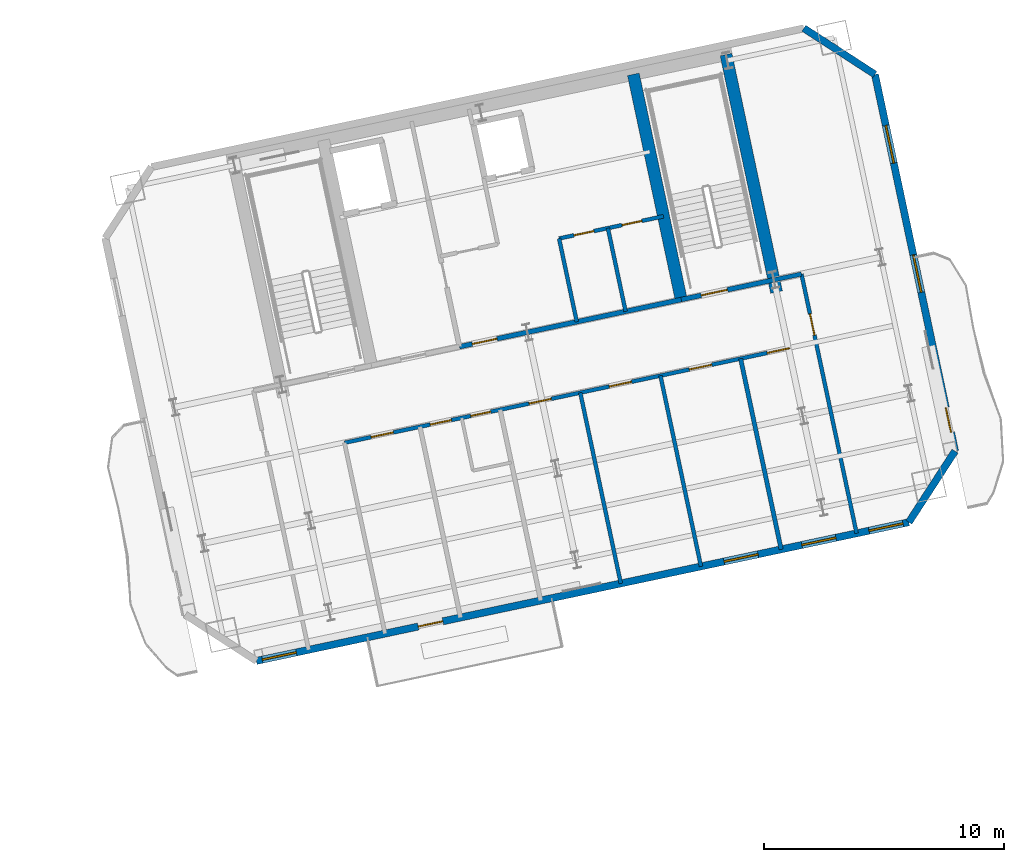
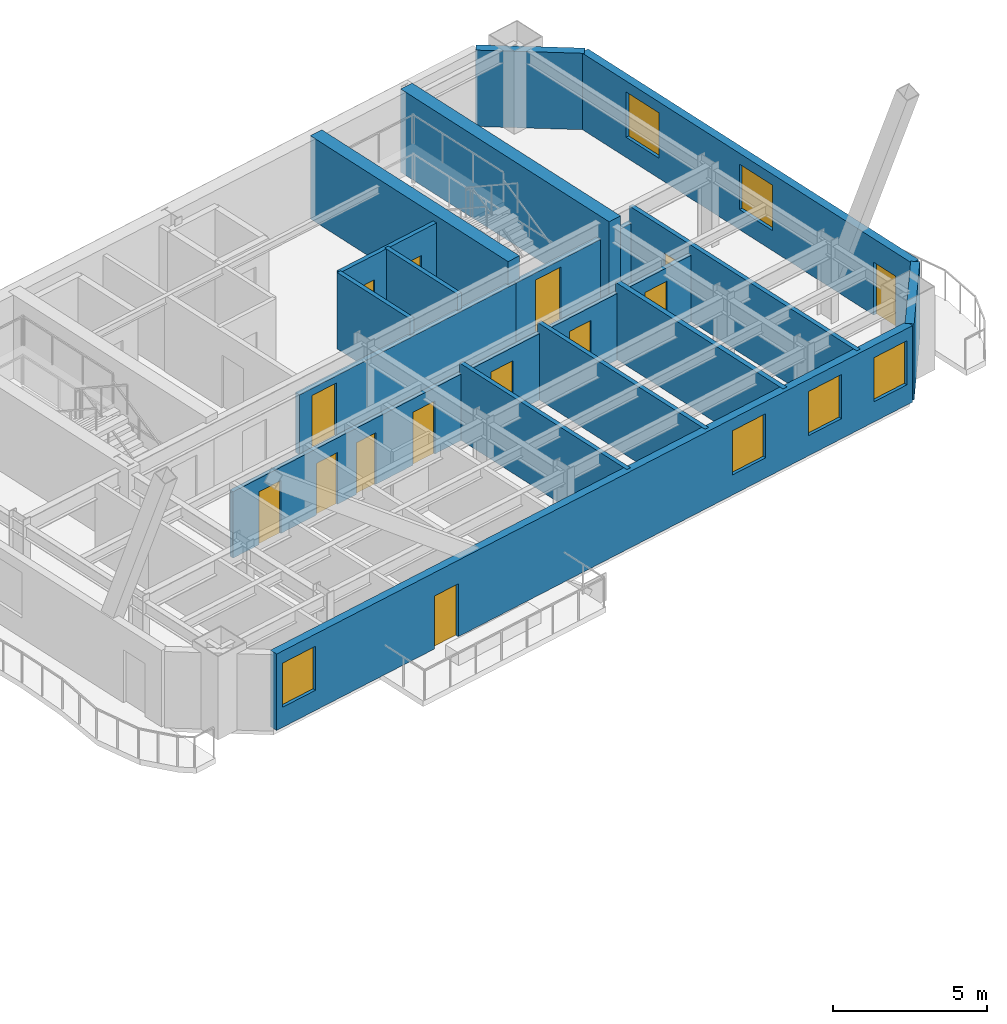
# One storey, part 8 of 13: 17 walls, 14 doors, 6 windows, 20 openings.
"""IFC4 building model written with IfcOpenShell, lengths in metres."""

from ifc_helpers import new_model, si_unit, direction, frame, frame_2d, origin, place, context, subcontext, project, spatial, rectangle, extrude, material, layer, layer_set, type_object, element, fill, save


model = new_model("IFC4")

# Units and contexts
model_context = context("Model", 3, precision=1e-05, world=origin(), true_north=direction((0.0, 1.0)))
body_context = subcontext(model_context, "Body", "Model", "MODEL_VIEW")
ifc_project = project(units=[si_unit("LENGTHUNIT", "METRE"), si_unit("AREAUNIT", "SQUARE_METRE"), si_unit("VOLUMEUNIT", "CUBIC_METRE"), si_unit("PLANEANGLEUNIT", "RADIAN"), si_unit("MASSUNIT", "GRAM", prefix="KILO")], contexts=[model_context])

# Site, building, storey
site_placement = place(None, origin())
site = spatial("IfcSite", under=ifc_project, at=site_placement, CompositionType="ELEMENT")
building_placement = place(site_placement, origin())
building = spatial("IfcBuilding", under=site, at=building_placement, Name="Haevon Station Towers", CompositionType="ELEMENT")
storey_placement = place(building_placement, frame((0.0, 0.0, 146.10009765625)))
storey = spatial("IfcBuildingStorey", under=building, at=storey_placement, Name="L39", CompositionType="ELEMENT", Elevation=146.10009765625)

# Walls
ifc_material_1 = material(Name="Gypsum board on steel stud", Category="steel")
ifc_layer_1 = layer(ifc_material_1, 0.179931640625)
ifc_layer_set_1 = layer_set([ifc_layer_1], Name="Gypsum board on steel stud")
wall_type_1 = type_object("IfcWallType", Name="WL-ACU180", PredefinedType="PARTITIONING", material=ifc_layer_set_1)
wall_1_placement = place(storey_placement, frame((119.29345703125, 41.80859375, 0.0), z_axis=(0.0, 0.0, 1.0), x_axis=(0.978177856367, 0.207769298294, 0.0)))
element("IfcWall", 1, at=wall_1_placement, inside=storey, type_object=wall_type_1, Name="WL-T2PT-L39-03", PredefinedType="PARTITIONING", context=body_context, shape_type="SweptSolid", body=[
    extrude(rectangle(XDim=1.175048828125, YDim=0.179931640625, at=frame_2d((0.58740234375, 0.0))), origin(), (0.0, 0.0, 1.0), 2.3798828125),
])
wall_2_placement = place(storey_placement, frame((119.59521484375, 30.575927734375, 0.0), z_axis=(0.0, 0.0, 1.0), x_axis=(-0.20790041837, 0.978149996699, 0.0)))
element("IfcWall", 2, at=wall_2_placement, inside=storey, type_object=wall_type_1, Name="WL-T2PT-L39-12", PredefinedType="PARTITIONING", context=body_context, shape_type="SweptSolid", body=[
    extrude(rectangle(XDim=8.1298828125, YDim=0.179931640625, at=frame_2d((4.06494140625, 0.0))), origin(), (0.0, 0.0, 1.0), 3.02978515625),
])

# Wall, opening, door
ifc_layer_2 = layer(ifc_material_1, 0.199951171875)
ifc_layer_set_2 = layer_set([ifc_layer_2], Name="Gypsum board on steel stud")
wall_type_2 = type_object("IfcWallType", Name="WL-COR200", PredefinedType="PARTITIONING", material=ifc_layer_set_2)
wall_3_placement = place(storey_placement, frame((115.4296875, 40.9873046875, 0.0), z_axis=(0.0, 0.0, 1.0), x_axis=(0.978146596989, 0.207916413008, 0.0)))
wall_3 = element("IfcWall", 3, at=wall_3_placement, inside=storey, type_object=wall_type_2, Name="WL-ST-ST4-L39", PredefinedType="PARTITIONING", context=body_context, shape_type="SweptSolid", body=[
    extrude(rectangle(XDim=3.9501953125, YDim=0.199951171875, at=frame_2d((1.97509765625, 0.0))), origin(), (0.0, 0.0, 1.0), 2.3798828125),
])
opening_1_placement = place(wall_3_placement, frame((0.85009765625, 0.0, 0.0)))
opening_1 = element("IfcOpeningElement", 4, at=opening_1_placement, cuts=wall_3, Name="Opening DR-ST-ST4-L39", PredefinedType="OPENING", context=body_context, shape_type="SweptSolid", body=[
    extrude(rectangle(XDim=1.1201171875, YDim=2.10009765625, at=frame_2d((0.56005859375, 1.050048828125))), frame((0.0, 0.10986328125, 0.0), z_axis=(0.0, -1.0, 0.0), x_axis=(1.0, 0.0, 0.0)), (0.0, 0.0, 1.0), 0.219970703125),
])
ifc_material_2 = material(Name="Engineered oak timber", Category="wood")
door_type_1 = type_object("IfcDoorType", Name="DR-ST-1120", OperationType="NOTDEFINED", PredefinedType="DOOR", material=ifc_material_2)
door_1_placement = place(opening_1_placement, origin())
door_1 = element("IfcDoor", 5, at=door_1_placement, inside=storey, type_object=door_type_1, Name="L39 Escape Stair ST4 Fire Door", OperationType="SINGLE_SWING_LEFT", OverallHeight=2.10009765625, OverallWidth=1.1201171875, PredefinedType="DOOR", context=body_context, shape_type="SweptSolid", body=[
    extrude(rectangle(XDim=1.1201171875, YDim=2.10009765625, at=frame_2d((0.56005859375, 1.050048828125))), frame((0.0, 0.02490234375, 0.0), z_axis=(0.0, -1.0, 0.0), x_axis=(1.0, 0.0, 0.0)), (0.0, 0.0, 1.0), 0.050048828125),
])
fill(opening_1, door_1)

wall_4_placement = place(storey_placement, frame((106.186279296875, 39.0224609375, 0.0), z_axis=(0.0, 0.0, 1.0), x_axis=(0.978145519981, 0.20792147975, 0.0)))
wall_4 = element("IfcWall", 6, at=wall_4_placement, inside=storey, type_object=wall_type_2, Name="WL-T2CLB-L39", PredefinedType="PARTITIONING", context=body_context, shape_type="SweptSolid", body=[
    extrude(rectangle(XDim=9.449951171875, YDim=0.199951171875, at=frame_2d((4.72509765625, 0.0))), origin(), (0.0, 0.0, 1.0), 2.3798828125),
])
opening_2_placement = place(wall_4_placement, frame((0.550048828125, 0.0, 0.0)))
opening_2 = element("IfcOpeningElement", 7, at=opening_2_placement, cuts=wall_4, Name="Opening DR-T2CLB-L39-1", PredefinedType="OPENING", context=body_context, shape_type="SweptSolid", body=[
    extrude(rectangle(XDim=1.050048828125, YDim=2.10009765625, at=frame_2d((0.52490234375, 1.050048828125))), frame((0.0, 0.10986328125, 0.0), z_axis=(0.0, -1.0, 0.0), x_axis=(1.0, 0.0, 0.0)), (0.0, 0.0, 1.0), 0.219970703125),
])
door_type_2 = type_object("IfcDoorType", Name="DR-FD60-1050", OperationType="NOTDEFINED", PredefinedType="DOOR", material=ifc_material_2)
door_2_placement = place(opening_2_placement, origin())
door_2 = element("IfcDoor", 8, at=door_2_placement, inside=storey, type_object=door_type_2, Name="L39 Tower 2 Core Lift Lobby Door 1", OperationType="SINGLE_SWING_RIGHT", OverallHeight=2.10009765625, OverallWidth=1.050048828125, PredefinedType="DOOR", context=body_context, shape_type="SweptSolid", body=[
    extrude(rectangle(XDim=1.050048828125, YDim=2.10009765625, at=frame_2d((0.52490234375, 1.050048828125))), frame((0.0, 0.02490234375, 0.0), z_axis=(0.0, -1.0, 0.0), x_axis=(1.0, 0.0, 0.0)), (0.0, 0.0, 1.0), 0.050048828125),
])
fill(opening_2, door_2)

# Walls
ifc_material_3 = material(Name="Concrete C60/75", Category="concrete")
ifc_layer_3 = layer(ifc_material_3, 0.5)
ifc_layer_set_3 = layer_set([ifc_layer_3], Name="Concrete C60/75")
wall_type_3 = type_object("IfcWallType", Name="WL-CR500", PredefinedType="SHEAR", material=ifc_layer_set_3)
wall_5_placement = place(storey_placement, frame((119.401611328125, 41.2998046875, 0.0), z_axis=(0.0, 0.0, 1.0), x_axis=(-0.207904342798, 0.978149162575, 0.0)))
element("IfcWall", 9, at=wall_5_placement, inside=storey, type_object=wall_type_3, Name="WL-T2CR-L39-E", PredefinedType="SHEAR", context=body_context, shape_type="SweptSolid", body=[
    extrude(rectangle(XDim=10.1201171875, YDim=0.5, at=frame_2d((5.06005859375, 0.0))), origin(), (0.0, 0.0, 1.0), 3.2998046875),
])
wall_6_placement = place(storey_placement, frame((115.4296875, 40.9873046875, 0.0), z_axis=(0.0, 0.0, 1.0), x_axis=(-0.207903162969, 0.978149413345, 0.0)))
element("IfcWall", 10, at=wall_6_placement, inside=storey, type_object=wall_type_3, Name="WL-T2CR-L39-M2", PredefinedType="SHEAR", context=body_context, shape_type="SweptSolid", body=[
    extrude(rectangle(XDim=9.599853515625, YDim=0.5, at=frame_2d((4.7998046875, 0.0))), origin(), (0.0, 0.0, 1.0), 3.2998046875),
])

# Wall, openings, door, windows
ifc_material_4 = material(Name="Precast concrete C45/55", Category="concrete")
ifc_layer_4 = layer(ifc_material_4, 0.300048828125)
ifc_layer_set_4 = layer_set([ifc_layer_4], Name="Precast concrete C45/55")
wall_type_4 = type_object("IfcWallType", Name="WL-EXT-PIER300", PredefinedType="SOLIDWALL", material=ifc_layer_set_4)
wall_7_placement = place(storey_placement, frame((124.91650390625, 31.70703125, 0.0), z_axis=(0.0, 0.0, 1.0), x_axis=(-0.978146796741, -0.20791547327, 0.0)))
wall_7 = element("IfcWall", 11, at=wall_7_placement, inside=storey, type_object=wall_type_4, Name="WL-T2-L39-S", PredefinedType="SOLIDWALL", context=body_context, shape_type="SweptSolid", body=[
    extrude(rectangle(XDim=27.7998046875, YDim=0.300048828125, at=frame_2d((13.89990234375, 0.0))), origin(), (0.0, 0.0, 1.0), 3.02978515625),
])
opening_3_placement = place(wall_7_placement, frame((19.8564453125, 0.0, 0.0)))
opening_3 = element("IfcOpeningElement", 12, at=opening_3_placement, cuts=wall_7, Name="Opening DR-T2-PBAND-L39-1", PredefinedType="OPENING", context=body_context, shape_type="SweptSolid", body=[
    extrude(rectangle(XDim=1.050048828125, YDim=2.10009765625, at=frame_2d((0.52490234375, 1.050048828125))), frame((0.0, 0.159912109375, 0.0), z_axis=(0.0, -1.0, 0.0), x_axis=(1.0, 0.0, 0.0)), (0.0, 0.0, 1.0), 0.320068359375),
])
opening_4_placement = place(wall_7_placement, frame((26.10009765625, 0.0, 0.800048828125)))
opening_4 = element("IfcOpeningElement", 13, at=opening_4_placement, cuts=wall_7, Name="Opening WN-P145", PredefinedType="OPENING", context=body_context, shape_type="SweptSolid", body=[
    extrude(rectangle(XDim=1.449951171875, YDim=1.75, at=frame_2d((0.72509765625, 0.875))), frame((0.0, 0.159912109375, 0.0), z_axis=(0.0, -1.0, 0.0), x_axis=(1.0, 0.0, 0.0)), (0.0, 0.0, 1.0), 0.320068359375),
])
opening_5_placement = place(wall_7_placement, frame((0.25, 0.0, 0.800048828125)))
opening_5 = element("IfcOpeningElement", 14, at=opening_5_placement, cuts=wall_7, Name="Opening WN-P145", PredefinedType="OPENING", context=body_context, shape_type="SweptSolid", body=[
    extrude(rectangle(XDim=1.449951171875, YDim=1.75, at=frame_2d((0.72509765625, 0.875))), frame((0.0, 0.159912109375, 0.0), z_axis=(0.0, -1.0, 0.0), x_axis=(1.0, 0.0, 0.0)), (0.0, 0.0, 1.0), 0.320068359375),
])
opening_6_placement = place(wall_7_placement, frame((6.42333984375, 0.0, 0.800048828125)))
opening_6 = element("IfcOpeningElement", 15, at=opening_6_placement, cuts=wall_7, Name="Opening WN-P145", PredefinedType="OPENING", context=body_context, shape_type="SweptSolid", body=[
    extrude(rectangle(XDim=1.449951171875, YDim=1.75, at=frame_2d((0.72509765625, 0.875))), frame((0.0, 0.159912109375, 0.0), z_axis=(0.0, -1.0, 0.0), x_axis=(1.0, 0.0, 0.0)), (0.0, 0.0, 1.0), 0.320068359375),
])
opening_7_placement = place(wall_7_placement, frame((3.107666015625, 0.0, 0.800048828125)))
opening_7 = element("IfcOpeningElement", 16, at=opening_7_placement, cuts=wall_7, Name="Opening WN-P145", PredefinedType="OPENING", context=body_context, shape_type="SweptSolid", body=[
    extrude(rectangle(XDim=1.449951171875, YDim=1.75, at=frame_2d((0.72509765625, 0.875))), frame((0.0, 0.159912109375, 0.0), z_axis=(0.0, -1.0, 0.0), x_axis=(1.0, 0.0, 0.0)), (0.0, 0.0, 1.0), 0.320068359375),
])
ifc_material_5 = material(Name="Thermally broken anodised aluminium and laminated safety glass", Category="aluminium")
door_type_3 = type_object("IfcDoorType", Name="DR-BALC-1050", OperationType="NOTDEFINED", PredefinedType="DOOR", material=ifc_material_5)
door_3_placement = place(opening_3_placement, origin())
door_3 = element("IfcDoor", 17, at=door_3_placement, inside=storey, type_object=door_type_3, Name="Tower 2 L39 Balcony Terrace Door", OperationType="SINGLE_SWING_RIGHT", OverallHeight=2.10009765625, OverallWidth=1.050048828125, PredefinedType="DOOR", context=body_context, shape_type="SweptSolid", body=[
    extrude(rectangle(XDim=1.050048828125, YDim=2.10009765625, at=frame_2d((0.52490234375, 1.050048828125))), frame((0.0, 0.02490234375, 0.0), z_axis=(0.0, -1.0, 0.0), x_axis=(1.0, 0.0, 0.0)), (0.0, 0.0, 1.0), 0.050048828125),
])
fill(opening_3, door_3)
ifc_material_6 = material(Name="Low-E triple glazing in thermally broken aluminium", Category="aluminium")
window_type_1 = type_object("IfcWindowType", Name="WN-P145", PartitioningType="SINGLE_PANEL", PredefinedType="WINDOW", material=ifc_material_6)
window_1_placement = place(opening_4_placement, origin())
window_1 = element("IfcWindow", 18, at=window_1_placement, inside=storey, type_object=window_type_1, Name="WN-T2-L39-S01", OverallHeight=1.75, OverallWidth=1.449951171875, PartitioningType="SINGLE_PANEL", PredefinedType="WINDOW", context=body_context, shape_type="SweptSolid", body=[
    extrude(rectangle(XDim=1.449951171875, YDim=1.75, at=frame_2d((0.72509765625, 0.875))), frame((0.0, 0.030029296875, 0.0), z_axis=(0.0, -1.0, 0.0), x_axis=(1.0, 0.0, 0.0)), (0.0, 0.0, 1.0), 0.06005859375),
])
fill(opening_4, window_1)
window_2_placement = place(opening_5_placement, origin())
window_2 = element("IfcWindow", 19, at=window_2_placement, inside=storey, type_object=window_type_1, Name="WN-T2-L39-S02", OverallHeight=1.75, OverallWidth=1.449951171875, PartitioningType="SINGLE_PANEL", PredefinedType="WINDOW", context=body_context, shape_type="SweptSolid", body=[
    extrude(rectangle(XDim=1.449951171875, YDim=1.75, at=frame_2d((0.72509765625, 0.875))), frame((0.0, 0.030029296875, 0.0), z_axis=(0.0, -1.0, 0.0), x_axis=(1.0, 0.0, 0.0)), (0.0, 0.0, 1.0), 0.06005859375),
])
fill(opening_5, window_2)
window_3_placement = place(opening_6_placement, origin())
window_3 = element("IfcWindow", 20, at=window_3_placement, inside=storey, type_object=window_type_1, Name="WN-T2-L39-S03", OverallHeight=1.75, OverallWidth=1.449951171875, PartitioningType="SINGLE_PANEL", PredefinedType="WINDOW", context=body_context, shape_type="SweptSolid", body=[
    extrude(rectangle(XDim=1.449951171875, YDim=1.75, at=frame_2d((0.72509765625, 0.875))), frame((0.0, 0.030029296875, 0.0), z_axis=(0.0, -1.0, 0.0), x_axis=(1.0, 0.0, 0.0)), (0.0, 0.0, 1.0), 0.06005859375),
])
fill(opening_6, window_3)
window_4_placement = place(opening_7_placement, origin())
window_4 = element("IfcWindow", 21, at=window_4_placement, inside=storey, type_object=window_type_1, Name="WN-T2-L39-S04", OverallHeight=1.75, OverallWidth=1.449951171875, PartitioningType="SINGLE_PANEL", PredefinedType="WINDOW", context=body_context, shape_type="SweptSolid", body=[
    extrude(rectangle(XDim=1.449951171875, YDim=1.75, at=frame_2d((0.72509765625, 0.875))), frame((0.0, 0.030029296875, 0.0), z_axis=(0.0, -1.0, 0.0), x_axis=(1.0, 0.0, 0.0)), (0.0, 0.0, 1.0), 0.06005859375),
])
fill(opening_7, window_4)

# Wall
wall_8_placement = place(storey_placement, frame((120.5400390625, 52.296875, 0.0), z_axis=(0.0, 0.0, 1.0), x_axis=(0.838672309694, -0.544636352948, 0.0)))
element("IfcWall", 22, at=wall_8_placement, inside=storey, type_object=wall_type_4, Name="WL-T2-L39-NEC", PredefinedType="SOLIDWALL", context=body_context, shape_type="SweptSolid", body=[
    extrude(rectangle(XDim=3.535400390625, YDim=0.300048828125, at=frame_2d((1.767578125, 0.0))), origin(), (0.0, 0.0, 1.0), 3.02978515625),
])

# Wall, openings, door, windows
wall_9_placement = place(storey_placement, frame((123.505126953125, 50.371337890625, 0.0), z_axis=(0.0, 0.0, 1.0), x_axis=(0.207922793235, -0.978145240776, 0.0)))
wall_9 = element("IfcWall", 23, at=wall_9_placement, inside=storey, type_object=wall_type_4, Name="WL-T2-L39-E", PredefinedType="SOLIDWALL", context=body_context, shape_type="SweptSolid", body=[
    extrude(rectangle(XDim=16.050048828125, YDim=0.300048828125, at=frame_2d((8.02490234375, 0.0))), origin(), (0.0, 0.0, 1.0), 3.02978515625),
])
opening_8_placement = place(wall_9_placement, frame((14.199951171875, 0.0, 0.0)))
opening_8 = element("IfcOpeningElement", 24, at=opening_8_placement, cuts=wall_9, Name="Opening DR-T2-SCAL-L39-E", PredefinedType="OPENING", context=body_context, shape_type="SweptSolid", body=[
    extrude(rectangle(XDim=1.050048828125, YDim=2.10009765625, at=frame_2d((0.52490234375, 1.050048828125))), frame((0.0, 0.159912109375, 0.0), z_axis=(0.0, -1.0, 0.0), x_axis=(1.0, 0.0, 0.0)), (0.0, 0.0, 1.0), 0.320068359375),
])
opening_9_placement = place(wall_9_placement, frame((2.1767578125, 0.0, 0.800048828125)))
opening_9 = element("IfcOpeningElement", 25, at=opening_9_placement, cuts=wall_9, Name="Opening WN-END160", PredefinedType="OPENING", context=body_context, shape_type="SweptSolid", body=[
    extrude(rectangle(XDim=1.60009765625, YDim=1.800048828125, at=frame_2d((0.800048828125, 0.89990234375))), frame((0.0, 0.159912109375, 0.0), z_axis=(0.0, -1.0, 0.0), x_axis=(1.0, 0.0, 0.0)), (0.0, 0.0, 1.0), 0.320068359375),
])
opening_10_placement = place(wall_9_placement, frame((7.683837890625, 0.0, 0.800048828125)))
opening_10 = element("IfcOpeningElement", 26, at=opening_10_placement, cuts=wall_9, Name="Opening WN-END160", PredefinedType="OPENING", context=body_context, shape_type="SweptSolid", body=[
    extrude(rectangle(XDim=1.60009765625, YDim=1.800048828125, at=frame_2d((0.800048828125, 0.89990234375))), frame((0.0, 0.159912109375, 0.0), z_axis=(0.0, -1.0, 0.0), x_axis=(1.0, 0.0, 0.0)), (0.0, 0.0, 1.0), 0.320068359375),
])
door_4_placement = place(opening_8_placement, origin())
door_4 = element("IfcDoor", 27, at=door_4_placement, inside=storey, type_object=door_type_3, Name="Tower 2 L39 East Scalloped Balcony Door", OperationType="SINGLE_SWING_RIGHT", OverallHeight=2.10009765625, OverallWidth=1.050048828125, PredefinedType="DOOR", context=body_context, shape_type="SweptSolid", body=[
    extrude(rectangle(XDim=1.050048828125, YDim=2.10009765625, at=frame_2d((0.52490234375, 1.050048828125))), frame((0.0, 0.02490234375, 0.0), z_axis=(0.0, -1.0, 0.0), x_axis=(1.0, 0.0, 0.0)), (0.0, 0.0, 1.0), 0.050048828125),
])
fill(opening_8, door_4)
window_type_2 = type_object("IfcWindowType", Name="WN-END160", PartitioningType="SINGLE_PANEL", PredefinedType="WINDOW", material=ifc_material_6)
window_5_placement = place(opening_9_placement, origin())
window_5 = element("IfcWindow", 28, at=window_5_placement, inside=storey, type_object=window_type_2, Name="WN-T2-L39-E01", OverallHeight=1.800048828125, OverallWidth=1.60009765625, PartitioningType="SINGLE_PANEL", PredefinedType="WINDOW", context=body_context, shape_type="SweptSolid", body=[
    extrude(rectangle(XDim=1.60009765625, YDim=1.800048828125, at=frame_2d((0.800048828125, 0.89990234375))), frame((0.0, 0.030029296875, 0.0), z_axis=(0.0, -1.0, 0.0), x_axis=(1.0, 0.0, 0.0)), (0.0, 0.0, 1.0), 0.06005859375),
])
fill(opening_9, window_5)
window_6_placement = place(opening_10_placement, origin())
window_6 = element("IfcWindow", 29, at=window_6_placement, inside=storey, type_object=window_type_2, Name="WN-T2-L39-E02", OverallHeight=1.800048828125, OverallWidth=1.60009765625, PartitioningType="SINGLE_PANEL", PredefinedType="WINDOW", context=body_context, shape_type="SweptSolid", body=[
    extrude(rectangle(XDim=1.60009765625, YDim=1.800048828125, at=frame_2d((0.800048828125, 0.89990234375))), frame((0.0, 0.030029296875, 0.0), z_axis=(0.0, -1.0, 0.0), x_axis=(1.0, 0.0, 0.0)), (0.0, 0.0, 1.0), 0.06005859375),
])
fill(opening_10, window_6)

# Walls
wall_10_placement = place(storey_placement, frame((126.84228515625, 34.672119140625, 0.0), z_axis=(0.0, 0.0, 1.0), x_axis=(-0.544684921471, -0.838640767148, 0.0)))
element("IfcWall", 30, at=wall_10_placement, inside=storey, type_object=wall_type_4, Name="WL-T2-L39-SEC", PredefinedType="SOLIDWALL", context=body_context, shape_type="SweptSolid", body=[
    extrude(rectangle(XDim=3.53564453125, YDim=0.300048828125, at=frame_2d((1.767822265625, 0.0))), origin(), (0.0, 0.0, 1.0), 3.02978515625),
])
ifc_layer_5 = layer(ifc_material_1, 0.159912109375)
ifc_layer_set_5 = layer_set([ifc_layer_5], Name="Gypsum board on steel stud")
wall_type_5 = type_object("IfcWallType", Name="WL-PRT160", PredefinedType="PARTITIONING", material=ifc_layer_set_5)
for number, where, z_axis, x_axis, name in (
    (31, (111.076904296875, 40.06201171875, 0.0), (0.0, 0.0, 1.0), (-0.207899058817, 0.978150285663, 0.0), "WL-T2CW-L39-05"),
    (32, (113.111572265625, 40.49462890625, 0.0), (0.0, 0.0, 1.0), (-0.207899058817, 0.978150285663, 0.0), "WL-T2CW-L39-06"),
):
    element("IfcWall", number, at=place(storey_placement, frame(where, z_axis=z_axis, x_axis=x_axis)), inside=storey, type_object=wall_type_5, Name=name, PredefinedType="PARTITIONING", context=body_context, shape_type="SweptSolid", body=[
        extrude(rectangle(XDim=3.550048828125, YDim=0.159912109375, at=frame_2d((1.77490234375, 0.0))), origin(), (0.0, 0.0, 1.0), 3.02978515625),
    ])

# Wall, openings, doors
wall_11_placement = place(storey_placement, frame((110.3388671875, 43.534423828125, 0.0), z_axis=(0.0, 0.0, 1.0), x_axis=(0.978143929138, 0.207928963567, 0.0)))
wall_11 = element("IfcWall", 33, at=wall_11_placement, inside=storey, type_object=wall_type_5, Name="WL-T2CW-L39-07", PredefinedType="PARTITIONING", context=body_context, shape_type="SweptSolid", body=[
    extrude(rectangle(XDim=4.449951171875, YDim=0.159912109375, at=frame_2d((2.22509765625, 0.0))), origin(), (0.0, 0.0, 1.0), 3.02978515625),
])
opening_11_placement = place(wall_11_placement, frame((0.635009765625, 0.0, 0.0)))
opening_11 = element("IfcOpeningElement", 34, at=opening_11_placement, cuts=wall_11, Name="Opening DR-WL-T2CW-L39-07-1", PredefinedType="OPENING", context=body_context, shape_type="SweptSolid", body=[
    extrude(rectangle(XDim=0.85009765625, YDim=2.050048828125, at=frame_2d((0.425048828125, 1.02490234375))), frame((0.0, 0.08984375, 0.0), z_axis=(0.0, -1.0, 0.0), x_axis=(1.0, 0.0, 0.0)), (0.0, 0.0, 1.0), 0.179931640625),
])
opening_12_placement = place(wall_11_placement, frame((2.679931640625, 0.0, 0.0)))
opening_12 = element("IfcOpeningElement", 35, at=opening_12_placement, cuts=wall_11, Name="Opening DR-WL-T2CW-L39-07-2", PredefinedType="OPENING", context=body_context, shape_type="SweptSolid", body=[
    extrude(rectangle(XDim=0.85009765625, YDim=2.050048828125, at=frame_2d((0.425048828125, 1.02490234375))), frame((0.0, 0.08984375, 0.0), z_axis=(0.0, -1.0, 0.0), x_axis=(1.0, 0.0, 0.0)), (0.0, 0.0, 1.0), 0.179931640625),
])
door_type_4 = type_object("IfcDoorType", Name="DR-FD30-850", OperationType="NOTDEFINED", PredefinedType="DOOR", material=ifc_material_2)
door_5_placement = place(opening_11_placement, origin())
door_5 = element("IfcDoor", 36, at=door_5_placement, inside=storey, type_object=door_type_4, Name="L39 Tower 2 Core Room Door 7-1", OperationType="SINGLE_SWING_RIGHT", OverallHeight=2.050048828125, OverallWidth=0.85009765625, PredefinedType="DOOR", context=body_context, shape_type="SweptSolid", body=[
    extrude(rectangle(XDim=0.85009765625, YDim=2.050048828125, at=frame_2d((0.425048828125, 1.02490234375))), frame((0.0, 0.02490234375, 0.0), z_axis=(0.0, -1.0, 0.0), x_axis=(1.0, 0.0, 0.0)), (0.0, 0.0, 1.0), 0.050048828125),
])
fill(opening_11, door_5)
door_6_placement = place(opening_12_placement, origin())
door_6 = element("IfcDoor", 37, at=door_6_placement, inside=storey, type_object=door_type_4, Name="L39 Tower 2 Core Room Door 7-2", OperationType="SINGLE_SWING_LEFT", OverallHeight=2.050048828125, OverallWidth=0.85009765625, PredefinedType="DOOR", context=body_context, shape_type="SweptSolid", body=[
    extrude(rectangle(XDim=0.85009765625, YDim=2.050048828125, at=frame_2d((0.425048828125, 1.02490234375))), frame((0.0, 0.02490234375, 0.0), z_axis=(0.0, -1.0, 0.0), x_axis=(1.0, 0.0, 0.0)), (0.0, 0.0, 1.0), 0.050048828125),
])
fill(opening_12, door_6)

# Wall, opening, door
wall_12_placement = place(storey_placement, frame((122.740234375, 31.244384765625, 0.0), z_axis=(0.0, 0.0, 1.0), x_axis=(-0.207909755675, 0.978148012059, 0.0)))
wall_12 = element("IfcWall", 38, at=wall_12_placement, inside=storey, type_object=wall_type_5, Name="WL-T2PT-L39-05", PredefinedType="PARTITIONING", context=body_context, shape_type="SweptSolid", body=[
    extrude(rectangle(XDim=11.0498046875, YDim=0.159912109375, at=frame_2d((5.52490234375, 0.0))), origin(), (0.0, 0.0, 1.0), 3.02978515625),
])
opening_13_placement = place(wall_12_placement, frame((8.449951171875, 0.0, 0.0)))
opening_13 = element("IfcOpeningElement", 39, at=opening_13_placement, cuts=wall_12, Name="Opening DR-WL-T2PT-L39-05-01", PredefinedType="OPENING", context=body_context, shape_type="SweptSolid", body=[
    extrude(rectangle(XDim=0.89990234375, YDim=2.050048828125, at=frame_2d((0.449951171875, 1.02490234375))), frame((0.0, 0.08984375, 0.0), z_axis=(0.0, -1.0, 0.0), x_axis=(1.0, 0.0, 0.0)), (0.0, 0.0, 1.0), 0.179931640625),
])
door_type_5 = type_object("IfcDoorType", Name="DR-INT-900", OperationType="NOTDEFINED", PredefinedType="DOOR", material=ifc_material_2)
door_7_placement = place(opening_13_placement, origin())
door_7 = element("IfcDoor", 40, at=door_7_placement, inside=storey, type_object=door_type_5, Name="L39 Tower 2 Room Door 5-1", OperationType="SINGLE_SWING_LEFT", OverallHeight=2.050048828125, OverallWidth=0.89990234375, PredefinedType="DOOR", context=body_context, shape_type="SweptSolid", body=[
    extrude(rectangle(XDim=0.89990234375, YDim=2.050048828125, at=frame_2d((0.449951171875, 1.02490234375))), frame((0.0, 0.02490234375, 0.0), z_axis=(0.0, -1.0, 0.0), x_axis=(1.0, 0.0, 0.0)), (0.0, 0.0, 1.0), 0.050048828125),
])
fill(opening_13, door_7)

# Walls
for number, where, z_axis, x_axis, name in (
    (41, (112.912353515625, 29.1552734375, 0.0), (0.0, 0.0, 1.0), (-0.207923042997, 0.978145187685, 0.0), "WL-T2PT-L39-10"),
    (42, (116.253662109375, 29.865478515625, 0.0), (0.0, 0.0, 1.0), (-0.207894311631, 0.978151294633, 0.0), "WL-T2PT-L39-11"),
):
    element("IfcWall", number, at=place(storey_placement, frame(where, z_axis=z_axis, x_axis=x_axis)), inside=storey, type_object=wall_type_5, Name=name, PredefinedType="PARTITIONING", context=body_context, shape_type="SweptSolid", body=[
        extrude(rectangle(XDim=8.130126953125, YDim=0.159912109375, at=frame_2d((4.06494140625, 0.0))), origin(), (0.0, 0.0, 1.0), 3.02978515625),
    ])

# Wall, openings, doors
wall_13_placement = place(storey_placement, frame((101.39404296875, 35.0185546875, 0.0), z_axis=(0.0, 0.0, 1.0), x_axis=(0.97814495389, 0.20792414285, 0.0)))
wall_13 = element("IfcWall", 43, at=wall_13_placement, inside=storey, type_object=wall_type_5, Name="WL-T2PT-L39-13", PredefinedType="PARTITIONING", context=body_context, shape_type="SweptSolid", body=[
    extrude(rectangle(XDim=20.094970703125, YDim=0.159912109375, at=frame_2d((10.04736328125, 0.0))), origin(), (0.0, 0.0, 1.0), 2.6298828125),
])
opening_14_placement = place(wall_13_placement, frame((1.133056640625, 0.0, 0.0)))
opening_14 = element("IfcOpeningElement", 44, at=opening_14_placement, cuts=wall_13, Name="Opening DR-WL-T2PT-L39-13-01", PredefinedType="OPENING", context=body_context, shape_type="SweptSolid", body=[
    extrude(rectangle(XDim=0.949951171875, YDim=2.10009765625, at=frame_2d((0.47509765625, 1.050048828125))), frame((0.0, 0.08984375, 0.0), z_axis=(0.0, -1.0, 0.0), x_axis=(1.0, 0.0, 0.0)), (0.0, 0.0, 1.0), 0.179931640625),
])
opening_15_placement = place(wall_13_placement, frame((5.387939453125, 0.0, 0.0)))
opening_15 = element("IfcOpeningElement", 45, at=opening_15_placement, cuts=wall_13, Name="Opening DR-WL-T2PT-L39-13-02", PredefinedType="OPENING", context=body_context, shape_type="SweptSolid", body=[
    extrude(rectangle(XDim=0.85009765625, YDim=2.050048828125, at=frame_2d((0.425048828125, 1.02490234375))), frame((0.0, 0.08984375, 0.0), z_axis=(0.0, -1.0, 0.0), x_axis=(1.0, 0.0, 0.0)), (0.0, 0.0, 1.0), 0.179931640625),
])
opening_16_placement = place(wall_13_placement, frame((3.655029296875, 0.0, 0.0)))
opening_16 = element("IfcOpeningElement", 46, at=opening_16_placement, cuts=wall_13, Name="Opening DR-WL-T2PT-L39-13-03", PredefinedType="OPENING", context=body_context, shape_type="SweptSolid", body=[
    extrude(rectangle(XDim=0.89990234375, YDim=2.050048828125, at=frame_2d((0.449951171875, 1.02490234375))), frame((0.0, 0.08984375, 0.0), z_axis=(0.0, -1.0, 0.0), x_axis=(1.0, 0.0, 0.0)), (0.0, 0.0, 1.0), 0.179931640625),
])
opening_17_placement = place(wall_13_placement, frame((7.864013671875, 0.0, 0.0)))
opening_17 = element("IfcOpeningElement", 47, at=opening_17_placement, cuts=wall_13, Name="Opening DR-WL-T2PT-L39-13-04", PredefinedType="OPENING", context=body_context, shape_type="SweptSolid", body=[
    extrude(rectangle(XDim=0.949951171875, YDim=2.10009765625, at=frame_2d((0.47509765625, 1.050048828125))), frame((0.0, 0.08984375, 0.0), z_axis=(0.0, -1.0, 0.0), x_axis=(1.0, 0.0, 0.0)), (0.0, 0.0, 1.0), 0.179931640625),
])
opening_18_placement = place(wall_13_placement, frame((11.281005859375, 0.0, 0.0)))
opening_18 = element("IfcOpeningElement", 48, at=opening_18_placement, cuts=wall_13, Name="Opening DR-WL-T2PT-L39-13-05", PredefinedType="OPENING", context=body_context, shape_type="SweptSolid", body=[
    extrude(rectangle(XDim=0.949951171875, YDim=2.10009765625, at=frame_2d((0.47509765625, 1.050048828125))), frame((0.0, 0.08984375, 0.0), z_axis=(0.0, -1.0, 0.0), x_axis=(1.0, 0.0, 0.0)), (0.0, 0.0, 1.0), 0.179931640625),
])
opening_19_placement = place(wall_13_placement, frame((14.697021484375, 0.0, 0.0)))
opening_19 = element("IfcOpeningElement", 49, at=opening_19_placement, cuts=wall_13, Name="Opening DR-WL-T2PT-L39-13-06", PredefinedType="OPENING", context=body_context, shape_type="SweptSolid", body=[
    extrude(rectangle(XDim=0.949951171875, YDim=2.10009765625, at=frame_2d((0.47509765625, 1.050048828125))), frame((0.0, 0.08984375, 0.0), z_axis=(0.0, -1.0, 0.0), x_axis=(1.0, 0.0, 0.0)), (0.0, 0.0, 1.0), 0.179931640625),
])
opening_20_placement = place(wall_13_placement, frame((18.011962890625, 0.0, 0.0)))
opening_20 = element("IfcOpeningElement", 50, at=opening_20_placement, cuts=wall_13, Name="Opening DR-WL-T2PT-L39-13-07", PredefinedType="OPENING", context=body_context, shape_type="SweptSolid", body=[
    extrude(rectangle(XDim=0.949951171875, YDim=2.10009765625, at=frame_2d((0.47509765625, 1.050048828125))), frame((0.0, 0.08984375, 0.0), z_axis=(0.0, -1.0, 0.0), x_axis=(1.0, 0.0, 0.0)), (0.0, 0.0, 1.0), 0.179931640625),
])
door_8_placement = place(opening_15_placement, origin())
door_8 = element("IfcDoor", 51, at=door_8_placement, inside=storey, type_object=door_type_4, Name="L39 Tower 2 Room Door 13-2", OperationType="SINGLE_SWING_LEFT", OverallHeight=2.050048828125, OverallWidth=0.85009765625, PredefinedType="DOOR", context=body_context, shape_type="SweptSolid", body=[
    extrude(rectangle(XDim=0.85009765625, YDim=2.050048828125, at=frame_2d((0.425048828125, 1.02490234375))), frame((0.0, 0.02490234375, 0.0), z_axis=(0.0, -1.0, 0.0), x_axis=(1.0, 0.0, 0.0)), (0.0, 0.0, 1.0), 0.050048828125),
])
fill(opening_15, door_8)
door_type_6 = type_object("IfcDoorType", Name="DR-FD30-950", OperationType="NOTDEFINED", PredefinedType="DOOR", material=ifc_material_2)
door_9_placement = place(opening_14_placement, origin())
door_9 = element("IfcDoor", 52, at=door_9_placement, inside=storey, type_object=door_type_6, Name="L39 Tower 2 Room Door 13-1", OperationType="SINGLE_SWING_RIGHT", OverallHeight=2.10009765625, OverallWidth=0.949951171875, PredefinedType="DOOR", context=body_context, shape_type="SweptSolid", body=[
    extrude(rectangle(XDim=0.949951171875, YDim=2.10009765625, at=frame_2d((0.47509765625, 1.050048828125))), frame((0.0, 0.02490234375, 0.0), z_axis=(0.0, -1.0, 0.0), x_axis=(1.0, 0.0, 0.0)), (0.0, 0.0, 1.0), 0.050048828125),
])
fill(opening_14, door_9)
door_10_placement = place(opening_17_placement, origin())
door_10 = element("IfcDoor", 53, at=door_10_placement, inside=storey, type_object=door_type_6, Name="L39 Tower 2 Room Door 13-4", OperationType="SINGLE_SWING_LEFT", OverallHeight=2.10009765625, OverallWidth=0.949951171875, PredefinedType="DOOR", context=body_context, shape_type="SweptSolid", body=[
    extrude(rectangle(XDim=0.949951171875, YDim=2.10009765625, at=frame_2d((0.47509765625, 1.050048828125))), frame((0.0, 0.02490234375, 0.0), z_axis=(0.0, -1.0, 0.0), x_axis=(1.0, 0.0, 0.0)), (0.0, 0.0, 1.0), 0.050048828125),
])
fill(opening_17, door_10)
door_11_placement = place(opening_18_placement, origin())
door_11 = element("IfcDoor", 54, at=door_11_placement, inside=storey, type_object=door_type_6, Name="L39 Tower 2 Room Door 13-5", OperationType="SINGLE_SWING_RIGHT", OverallHeight=2.10009765625, OverallWidth=0.949951171875, PredefinedType="DOOR", context=body_context, shape_type="SweptSolid", body=[
    extrude(rectangle(XDim=0.949951171875, YDim=2.10009765625, at=frame_2d((0.47509765625, 1.050048828125))), frame((0.0, 0.02490234375, 0.0), z_axis=(0.0, -1.0, 0.0), x_axis=(1.0, 0.0, 0.0)), (0.0, 0.0, 1.0), 0.050048828125),
])
fill(opening_18, door_11)
door_12_placement = place(opening_19_placement, origin())
door_12 = element("IfcDoor", 55, at=door_12_placement, inside=storey, type_object=door_type_6, Name="L39 Tower 2 Room Door 13-6", OperationType="SINGLE_SWING_LEFT", OverallHeight=2.10009765625, OverallWidth=0.949951171875, PredefinedType="DOOR", context=body_context, shape_type="SweptSolid", body=[
    extrude(rectangle(XDim=0.949951171875, YDim=2.10009765625, at=frame_2d((0.47509765625, 1.050048828125))), frame((0.0, 0.02490234375, 0.0), z_axis=(0.0, -1.0, 0.0), x_axis=(1.0, 0.0, 0.0)), (0.0, 0.0, 1.0), 0.050048828125),
])
fill(opening_19, door_12)
door_13_placement = place(opening_20_placement, origin())
door_13 = element("IfcDoor", 56, at=door_13_placement, inside=storey, type_object=door_type_6, Name="L39 Tower 2 Room Door 13-7", OperationType="SINGLE_SWING_RIGHT", OverallHeight=2.10009765625, OverallWidth=0.949951171875, PredefinedType="DOOR", context=body_context, shape_type="SweptSolid", body=[
    extrude(rectangle(XDim=0.949951171875, YDim=2.10009765625, at=frame_2d((0.47509765625, 1.050048828125))), frame((0.0, 0.02490234375, 0.0), z_axis=(0.0, -1.0, 0.0), x_axis=(1.0, 0.0, 0.0)), (0.0, 0.0, 1.0), 0.050048828125),
])
fill(opening_20, door_13)
door_14_placement = place(opening_16_placement, origin())
door_14 = element("IfcDoor", 57, at=door_14_placement, inside=storey, type_object=door_type_5, Name="L39 Tower 2 Room Door 13-3", OperationType="SINGLE_SWING_RIGHT", OverallHeight=2.050048828125, OverallWidth=0.89990234375, PredefinedType="DOOR", context=body_context, shape_type="SweptSolid", body=[
    extrude(rectangle(XDim=0.89990234375, YDim=2.050048828125, at=frame_2d((0.449951171875, 1.02490234375))), frame((0.0, 0.02490234375, 0.0), z_axis=(0.0, -1.0, 0.0), x_axis=(1.0, 0.0, 0.0)), (0.0, 0.0, 1.0), 0.050048828125),
])
fill(opening_16, door_14)

save(model, "model.ifc")
